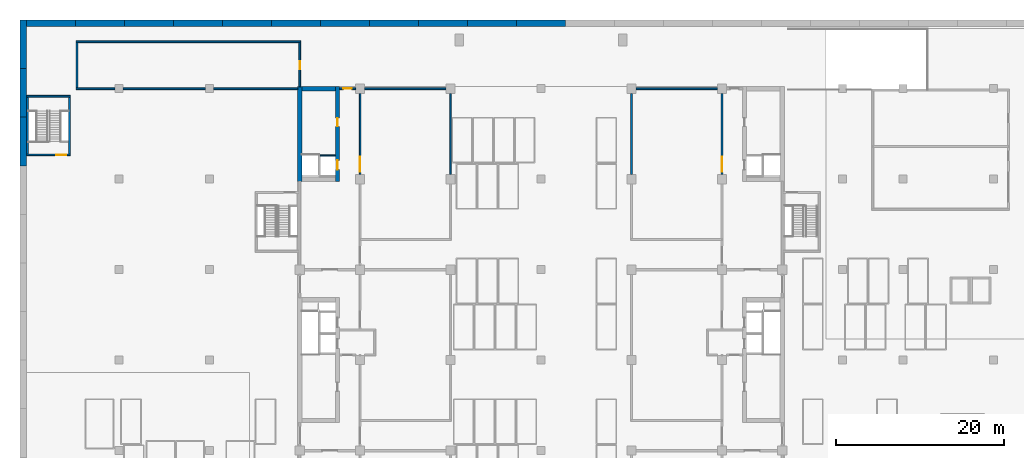
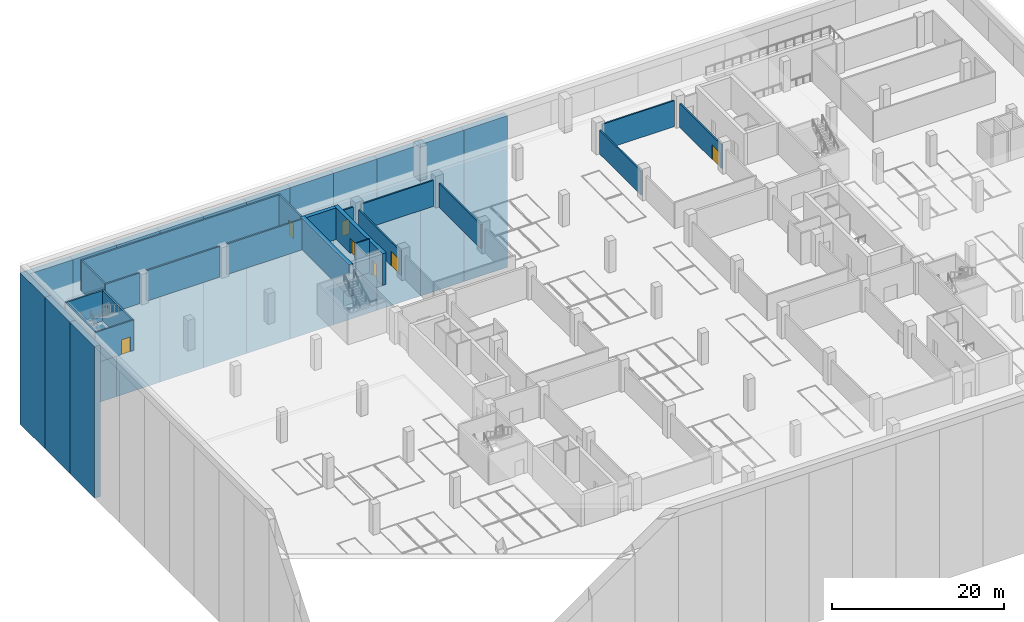
# One storey, part 8 of 18: 35 walls, 7 doors, 7 openings.
"""IFC4 building model written with IfcOpenShell, lengths in metres."""

from ifc_helpers import new_model, si_unit, direction, frame, frame_2d, origin, place, context, subcontext, project, spatial, rectangle, extrude, material, layer, layer_set, type_object, element, fill, save


model = new_model("IFC4")

# Units and contexts
model_context = context("Model", 3, precision=1e-05, world=origin(), true_north=direction((0.0, 1.0)))
body_context = subcontext(model_context, "Body", "Model", "MODEL_VIEW")
ifc_project = project(units=[si_unit("LENGTHUNIT", "METRE"), si_unit("AREAUNIT", "SQUARE_METRE"), si_unit("VOLUMEUNIT", "CUBIC_METRE"), si_unit("PLANEANGLEUNIT", "RADIAN"), si_unit("MASSUNIT", "GRAM", prefix="KILO")], contexts=[model_context])

# Site, building, storey
site_placement = place(None, origin())
site = spatial("IfcSite", under=ifc_project, at=site_placement, CompositionType="ELEMENT")
building_placement = place(site_placement, origin())
building = spatial("IfcBuilding", under=site, at=building_placement, Name="Basin Gate Institute", CompositionType="ELEMENT")
storey_placement = place(building_placement, frame((0.0, 0.0, -4.800048828125)))
storey = spatial("IfcBuildingStorey", under=building, at=storey_placement, Name="B1", CompositionType="ELEMENT", Elevation=-4.800048828125)

# Wall, opening, door
ifc_material_1 = material(Name="Concrete 50 MPa", Category="concrete")
ifc_layer_1 = layer(ifc_material_1, 0.199951171875)
ifc_layer_set_1 = layer_set([ifc_layer_1], Name="Concrete 50 MPa")
wall_type_1 = type_object("IfcWallType", Name="Basement bearing wall W66 REI 180", PredefinedType="SOLIDWALL", material=ifc_layer_set_1)
wall_1_placement = place(storey_placement, frame((61.199951171875, 100.14990234375, 0.0), z_axis=(0.0, 0.0, 1.0), x_axis=(0.0, 1.0, 0.0)))
wall_1 = element("IfcWall", 1, at=wall_1_placement, inside=storey, type_object=wall_type_1, material=ifc_layer_set_1, Name="Bicycle Store bearing wall", PredefinedType="SOLIDWALL", context=body_context, shape_type="SweptSolid", body=[
    extrude(rectangle(XDim=5.25, YDim=0.199951171875, at=frame_2d((2.625, 0.0))), origin(), (0.0, 0.0, 1.0), 4.35009765625),
])
opening_1_placement = place(wall_1_placement, frame((2.050048828125, 0.0, 0.0)))
opening_1 = element("IfcOpeningElement", 2, at=opening_1_placement, cuts=wall_1, Name="Opening DB101", PredefinedType="OPENING", context=body_context, shape_type="SweptSolid", body=[
    extrude(rectangle(XDim=1.0, YDim=2.10009765625, at=frame_2d((0.5, 1.050048828125))), frame((0.0, 0.10986328125, 0.0), z_axis=(0.0, -1.0, 0.0), x_axis=(1.0, 0.0, 0.0)), (0.0, 0.0, 1.0), 0.219970703125),
])
ifc_material_2 = material(Name="Steel door set", Category="steel")
door_type_1 = type_object("IfcDoorType", Name="Fire door FD120 1000x2100", OperationType="NOTDEFINED", PredefinedType="DOOR", material=ifc_material_2)
door_1_placement = place(opening_1_placement, origin())
door_1 = element("IfcDoor", 3, at=door_1_placement, inside=storey, type_object=door_type_1, material=ifc_material_2, Name="Door DB101 Bicycle Store", OperationType="SINGLE_SWING_LEFT", OverallHeight=2.10009765625, OverallWidth=1.0, PredefinedType="DOOR", context=body_context, shape_type="SweptSolid", body=[
    extrude(rectangle(XDim=1.0, YDim=2.10009765625, at=frame_2d((0.5, 1.050048828125))), frame((0.0, 0.02490234375, 0.0), z_axis=(0.0, -1.0, 0.0), x_axis=(1.0, 0.0, 0.0)), (0.0, 0.0, 1.0), 0.050048828125),
])
fill(opening_1, door_1)

# Walls
ifc_material_3 = material(Name="Blockwork", Category="masonry")
ifc_layer_2 = layer(ifc_material_3, 0.199951171875)
ifc_layer_set_2 = layer_set([ifc_layer_2], Name="Basement fire partition EI 120")
wall_type_2 = type_object("IfcWallType", Name="Basement fire partition EI 120", PredefinedType="PARTITIONING", material=ifc_layer_set_2)
for number, where, z_axis, x_axis, name in (
    (4, (68.949951171875, 99.89990234375, 0.0), (0.0, 0.0, 1.0), (1.0, 0.0, 0.0), "Archive B1 fire-resisting wall"),
    (5, (101.35009765625, 99.89990234375, 0.0), (0.0, 0.0, 1.0), (1.0, 0.0, 0.0), "Sample Archive fire-resisting wall"),
):
    element("IfcWall", number, at=place(storey_placement, frame(where, z_axis=z_axis, x_axis=x_axis)), inside=storey, type_object=wall_type_2, material=ifc_layer_set_2, Name=name, PredefinedType="PARTITIONING", context=body_context, shape_type="SweptSolid", body=[
        extrude(rectangle(XDim=9.699951171875, YDim=0.199951171875, at=frame_2d((4.85009765625, 0.0))), origin(), (0.0, 0.0, 1.0), 3.699951171875),
    ])

# Wall, opening, door
wall_2_placement = place(storey_placement, frame((68.39990234375, 89.64990234375, 0.0), z_axis=(0.0, 0.0, 1.0), x_axis=(0.0, 1.0, 0.0)))
wall_2 = element("IfcWall", 6, at=wall_2_placement, inside=storey, type_object=wall_type_2, material=ifc_layer_set_2, Name="Archive B1 fire-resisting wall", PredefinedType="PARTITIONING", context=body_context, shape_type="SweptSolid", body=[
    extrude(rectangle(XDim=9.7001953125, YDim=0.199951171875, at=frame_2d((4.85009765625, 0.0))), origin(), (0.0, 0.0, 1.0), 3.400146484375),
])
opening_2_placement = place(wall_2_placement, frame((0.35009765625, 0.0, 0.0)))
opening_2 = element("IfcOpeningElement", 7, at=opening_2_placement, cuts=wall_2, Name="Opening DB109", PredefinedType="OPENING", context=body_context, shape_type="SweptSolid", body=[
    extrude(rectangle(XDim=1.800048828125, YDim=2.10009765625, at=frame_2d((0.89990234375, 1.050048828125))), frame((0.0, 0.10986328125, 0.0), z_axis=(0.0, -1.0, 0.0), x_axis=(1.0, 0.0, 0.0)), (0.0, 0.0, 1.0), 0.219970703125),
])
ifc_material_4 = material(Name="Steel door set", Category="steel")
door_type_2 = type_object("IfcDoorType", Name="Double fire door FD120 1800x2100", OperationType="DOUBLE_DOOR_SINGLE_SWING", PredefinedType="DOOR", material=ifc_material_4)
door_2_placement = place(opening_2_placement, frame((1.800048828125, 0.0, 0.0), z_axis=(0.0, 0.0, 1.0), x_axis=(-1.0, 0.0, 0.0)))
door_2 = element("IfcDoor", 8, at=door_2_placement, inside=storey, type_object=door_type_2, material=ifc_material_4, Name="Door DB109 Archive B1", OperationType="DOUBLE_DOOR_SINGLE_SWING", OverallHeight=2.10009765625, OverallWidth=1.800048828125, PredefinedType="DOOR", context=body_context, shape_type="SweptSolid", body=[
    extrude(rectangle(XDim=1.800048828125, YDim=2.10009765625, at=frame_2d((0.89990234375, 1.050048828125))), frame((0.0, 0.02490234375, 0.0), z_axis=(0.0, -1.0, 0.0), x_axis=(1.0, 0.0, 0.0)), (0.0, 0.0, 1.0), 0.050048828125),
])
fill(opening_2, door_2)

# Walls
for number, where, z_axis, x_axis, name in (
    (9, (79.199951171875, 89.64990234375, 0.0), (0.0, 0.0, 1.0), (0.0, 1.0, 0.0), "Archive B1 fire-resisting wall"),
    (10, (100.800048828125, 89.64990234375, 0.0), (0.0, 0.0, 1.0), (0.0, 1.0, 0.0), "Sample Archive fire-resisting wall"),
):
    element("IfcWall", number, at=place(storey_placement, frame(where, z_axis=z_axis, x_axis=x_axis)), inside=storey, type_object=wall_type_2, material=ifc_layer_set_2, Name=name, PredefinedType="PARTITIONING", context=body_context, shape_type="SweptSolid", body=[
        extrude(rectangle(XDim=9.7001953125, YDim=0.199951171875, at=frame_2d((4.85009765625, 0.0))), origin(), (0.0, 0.0, 1.0), 3.400146484375),
    ])

# Wall, opening, door
wall_3_placement = place(storey_placement, frame((111.60009765625, 89.64990234375, 0.0), z_axis=(0.0, 0.0, 1.0), x_axis=(0.0, 1.0, 0.0)))
wall_3 = element("IfcWall", 11, at=wall_3_placement, inside=storey, type_object=wall_type_2, material=ifc_layer_set_2, Name="Sample Archive fire-resisting wall", PredefinedType="PARTITIONING", context=body_context, shape_type="SweptSolid", body=[
    extrude(rectangle(XDim=9.7001953125, YDim=0.199951171875, at=frame_2d((4.85009765625, 0.0))), origin(), (0.0, 0.0, 1.0), 3.400146484375),
])
opening_3_placement = place(wall_3_placement, frame((0.35009765625, 0.0, 0.0)))
opening_3 = element("IfcOpeningElement", 12, at=opening_3_placement, cuts=wall_3, Name="Opening DB110", PredefinedType="OPENING", context=body_context, shape_type="SweptSolid", body=[
    extrude(rectangle(XDim=1.800048828125, YDim=2.10009765625, at=frame_2d((0.89990234375, 1.050048828125))), frame((0.0, 0.10986328125, 0.0), z_axis=(0.0, -1.0, 0.0), x_axis=(1.0, 0.0, 0.0)), (0.0, 0.0, 1.0), 0.219970703125),
])
door_3_placement = place(opening_3_placement, origin())
door_3 = element("IfcDoor", 13, at=door_3_placement, inside=storey, type_object=door_type_2, material=ifc_material_4, Name="Door DB110 Sample Archive", OperationType="DOUBLE_DOOR_SINGLE_SWING", OverallHeight=2.10009765625, OverallWidth=1.800048828125, PredefinedType="DOOR", context=body_context, shape_type="SweptSolid", body=[
    extrude(rectangle(XDim=1.800048828125, YDim=2.10009765625, at=frame_2d((0.89990234375, 1.050048828125))), frame((0.0, 0.02490234375, 0.0), z_axis=(0.0, -1.0, 0.0), x_axis=(1.0, 0.0, 0.0)), (0.0, 0.0, 1.0), 0.050048828125),
])
fill(opening_3, door_3)

# Walls
ifc_material_5 = material(Name="Blockwork", Category="masonry")
ifc_layer_3 = layer(ifc_material_5, 0.199951171875)
ifc_layer_set_3 = layer_set([ifc_layer_3], Name="Basement fire partition EI 60")
wall_type_3 = type_object("IfcWallType", Name="Basement fire partition EI 60", PredefinedType="PARTITIONING", material=ifc_layer_set_3)
wall_4_placement = place(storey_placement, frame((34.5, 99.89990234375, 0.0), z_axis=(0.0, 0.0, 1.0), x_axis=(1.0, 0.0, 0.0)))
element("IfcWall", 14, at=wall_4_placement, inside=storey, type_object=wall_type_3, material=ifc_layer_set_3, Name="Bicycle Store fire-resisting wall", PredefinedType="PARTITIONING", context=body_context, shape_type="SweptSolid", body=[
    extrude(rectangle(XDim=4.625, YDim=0.199951171875, at=frame_2d((2.3125, 0.0))), origin(), (0.0, 0.0, 1.0), 4.35009765625),
])
wall_5_placement = place(storey_placement, frame((40.074951171875, 99.89990234375, 0.0), z_axis=(0.0, 0.0, 1.0), x_axis=(1.0, 0.0, 0.0)))
element("IfcWall", 15, at=wall_5_placement, inside=storey, type_object=wall_type_3, material=ifc_layer_set_3, Name="Bicycle Store fire-resisting wall", PredefinedType="PARTITIONING", context=body_context, shape_type="SweptSolid", body=[
    extrude(rectangle(XDim=9.85009765625, YDim=0.199951171875, at=frame_2d((4.925048828125, 0.0))), origin(), (0.0, 0.0, 1.0), 4.35009765625),
])
wall_6_placement = place(storey_placement, frame((50.875, 99.89990234375, 0.0), z_axis=(0.0, 0.0, 1.0), x_axis=(1.0, 0.0, 0.0)))
element("IfcWall", 16, at=wall_6_placement, inside=storey, type_object=wall_type_3, material=ifc_layer_set_3, Name="Bicycle Store fire-resisting wall", PredefinedType="PARTITIONING", context=body_context, shape_type="SweptSolid", body=[
    extrude(rectangle(XDim=10.074951171875, YDim=0.199951171875, at=frame_2d((5.03759765625, 0.0))), origin(), (0.0, 0.0, 1.0), 4.35009765625),
])

# Wall, opening, door
wall_7_placement = place(storey_placement, frame((65.949951171875, 99.89990234375, 0.0), z_axis=(0.0, 0.0, 1.0), x_axis=(1.0, 0.0, 0.0)))
wall_7 = element("IfcWall", 17, at=wall_7_placement, inside=storey, type_object=wall_type_3, material=ifc_layer_set_3, Name="Service Corridor B1 West fire-resisting wall", PredefinedType="PARTITIONING", context=body_context, shape_type="SweptSolid", body=[
    extrude(rectangle(XDim=1.900146484375, YDim=0.199951171875, at=frame_2d((0.9501953125, 0.0))), origin(), (0.0, 0.0, 1.0), 3.699951171875),
])
opening_4_placement = place(wall_7_placement, frame((0.449951171875, 0.0, 0.0)))
opening_4 = element("IfcOpeningElement", 18, at=opening_4_placement, cuts=wall_7, Name="Opening DB113", PredefinedType="OPENING", context=body_context, shape_type="SweptSolid", body=[
    extrude(rectangle(XDim=1.0, YDim=2.10009765625, at=frame_2d((0.5, 1.050048828125))), frame((0.0, 0.10986328125, 0.0), z_axis=(0.0, -1.0, 0.0), x_axis=(1.0, 0.0, 0.0)), (0.0, 0.0, 1.0), 0.219970703125),
])
ifc_material_6 = material(Name="Steel door set", Category="steel")
door_type_3 = type_object("IfcDoorType", Name="Fire door FD60 1000x2100", OperationType="NOTDEFINED", PredefinedType="DOOR", material=ifc_material_6)
door_4_placement = place(opening_4_placement, origin())
door_4 = element("IfcDoor", 19, at=door_4_placement, inside=storey, type_object=door_type_3, material=ifc_material_6, Name="Door DB113 Service Corridor B1 West", OperationType="SINGLE_SWING_LEFT", OverallHeight=2.10009765625, OverallWidth=1.0, PredefinedType="DOOR", context=body_context, shape_type="SweptSolid", body=[
    extrude(rectangle(XDim=1.0, YDim=2.10009765625, at=frame_2d((0.5, 1.050048828125))), frame((0.0, 0.02490234375, 0.0), z_axis=(0.0, -1.0, 0.0), x_axis=(1.0, 0.0, 0.0)), (0.0, 0.0, 1.0), 0.050048828125),
])
fill(opening_4, door_4)

# Walls
wall_8_placement = place(storey_placement, frame((34.5, 105.5, 0.0), z_axis=(0.0, 0.0, 1.0), x_axis=(1.0, 0.0, 0.0)))
element("IfcWall", 20, at=wall_8_placement, inside=storey, type_object=wall_type_3, material=ifc_layer_set_3, Name="Bicycle Store fire-resisting wall", PredefinedType="PARTITIONING", context=body_context, shape_type="SweptSolid", body=[
    extrude(rectangle(XDim=26.800048828125, YDim=0.199951171875, at=frame_2d((13.39990234375, 0.0))), origin(), (0.0, 0.0, 1.0), 4.35009765625),
])
wall_9_placement = place(storey_placement, frame((34.60009765625, 100.0, 0.0), z_axis=(0.0, 0.0, 1.0), x_axis=(0.0, 1.0, 0.0)))
element("IfcWall", 21, at=wall_9_placement, inside=storey, type_object=wall_type_3, material=ifc_layer_set_3, Name="Bicycle Store fire-resisting wall", PredefinedType="PARTITIONING", context=body_context, shape_type="SweptSolid", body=[
    extrude(rectangle(XDim=5.39990234375, YDim=0.199951171875, at=frame_2d((2.699951171875, 0.0))), origin(), (0.0, 0.0, 1.0), 4.35009765625),
])

# Wall, opening, door
ifc_material_7 = material(Name="Concrete 35 MPa", Category="concrete")
ifc_layer_4 = layer(ifc_material_7, 0.199951171875)
ifc_layer_set_4 = layer_set([ifc_layer_4], Name="Concrete 35 MPa")
wall_type_4 = type_object("IfcWallType", Name="Basement stair enclosure wall W67 REI 120", PredefinedType="SOLIDWALL", material=ifc_layer_set_4)
wall_10_placement = place(storey_placement, frame((28.60009765625, 92.0, 0.0), z_axis=(0.0, 0.0, 1.0), x_axis=(1.0, 0.0, 0.0)))
wall_10 = element("IfcWall", 22, at=wall_10_placement, inside=storey, type_object=wall_type_4, material=ifc_layer_set_4, Name="Stair Enclosure BS5 B1 enclosure wall", PredefinedType="SOLIDWALL", context=body_context, shape_type="SweptSolid", body=[
    extrude(rectangle(XDim=5.199951171875, YDim=0.199951171875, at=frame_2d((2.60009765625, 0.0))), origin(), (0.0, 0.0, 1.0), 4.35009765625),
])
opening_5_placement = place(wall_10_placement, frame((3.5, 0.0, 0.0)))
opening_5 = element("IfcOpeningElement", 23, at=opening_5_placement, cuts=wall_10, Name="Opening DB135", PredefinedType="OPENING", context=body_context, shape_type="SweptSolid", body=[
    extrude(rectangle(XDim=1.199951171875, YDim=2.10009765625, at=frame_2d((0.60009765625, 1.050048828125))), frame((0.0, 0.10986328125, 0.0), z_axis=(0.0, -1.0, 0.0), x_axis=(1.0, 0.0, 0.0)), (0.0, 0.0, 1.0), 0.219970703125),
])
ifc_material_8 = material(Name="Steel door set", Category="steel")
door_type_4 = type_object("IfcDoorType", Name="Stair door FD120 1200x2100", OperationType="NOTDEFINED", PredefinedType="DOOR", material=ifc_material_8)
door_5_placement = place(opening_5_placement, frame((1.199951171875, 0.0, 0.0), z_axis=(0.0, 0.0, 1.0), x_axis=(-1.0, 0.0, 0.0)))
door_5 = element("IfcDoor", 24, at=door_5_placement, inside=storey, type_object=door_type_4, material=ifc_material_8, Name="Door DB135 Stair Enclosure BS5 B1", OperationType="SINGLE_SWING_RIGHT", OverallHeight=2.10009765625, OverallWidth=1.199951171875, PredefinedType="DOOR", context=body_context, shape_type="SweptSolid", body=[
    extrude(rectangle(XDim=1.199951171875, YDim=2.10009765625, at=frame_2d((0.60009765625, 1.050048828125))), frame((0.0, 0.02490234375, 0.0), z_axis=(0.0, -1.0, 0.0), x_axis=(1.0, 0.0, 0.0)), (0.0, 0.0, 1.0), 0.050048828125),
])
fill(opening_5, door_5)

# Walls
wall_11_placement = place(storey_placement, frame((28.60009765625, 99.0, 0.0), z_axis=(0.0, 0.0, 1.0), x_axis=(1.0, 0.0, 0.0)))
element("IfcWall", 25, at=wall_11_placement, inside=storey, type_object=wall_type_4, material=ifc_layer_set_4, Name="Stair Enclosure BS5 B1 enclosure wall", PredefinedType="SOLIDWALL", context=body_context, shape_type="SweptSolid", body=[
    extrude(rectangle(XDim=5.199951171875, YDim=0.199951171875, at=frame_2d((2.60009765625, 0.0))), origin(), (0.0, 0.0, 1.0), 4.35009765625),
])
for number, where, z_axis, x_axis, name in (
    (26, (28.699951171875, 92.10009765625, 0.0), (0.0, 0.0, 1.0), (0.0, 1.0, 0.0), "Stair Enclosure BS5 B1 enclosure wall"),
    (27, (33.699951171875, 92.10009765625, 0.0), (0.0, 0.0, 1.0), (0.0, 1.0, 0.0), "Stair Enclosure BS5 B1 enclosure wall"),
):
    element("IfcWall", number, at=place(storey_placement, frame(where, z_axis=z_axis, x_axis=x_axis)), inside=storey, type_object=wall_type_4, material=ifc_layer_set_4, Name=name, PredefinedType="SOLIDWALL", context=body_context, shape_type="SweptSolid", body=[
        extrude(rectangle(XDim=6.7998046875, YDim=0.199951171875, at=frame_2d((3.39990234375, 0.0))), origin(), (0.0, 0.0, 1.0), 4.35009765625),
    ])
ifc_material_9 = material(Name="Concrete 40 MPa", Category="concrete")
ifc_layer_5 = layer(ifc_material_9, 0.800048828125)
ifc_layer_set_5 = layer_set([ifc_layer_5], Name="Concrete 40 MPa")
wall_type_5 = type_object("IfcWallType", Name="Wall DW1 R180", PredefinedType="SOLIDWALL", material=ifc_layer_set_5)
for number, where, z_axis, x_axis, name in (
    (28, (28.199951171875, 90.699951171875, -18.199951171875), (0.0, 0.0, 1.0), (0.0, 1.0, 0.0), "WALL/B1/BASE/W/12"),
    (29, (28.199951171875, 96.5, -18.199951171875), (0.0, 0.0, 1.0), (0.0, 1.0, 0.0), "WALL/B1/BASE/W/13"),
    (30, (28.199951171875, 102.300048828125, -18.199951171875), (0.0, 0.0, 1.0), (0.0, 1.0, 0.0), "WALL/B1/BASE/W/14"),
):
    element("IfcWall", number, at=place(storey_placement, frame(where, z_axis=z_axis, x_axis=x_axis)), inside=storey, type_object=wall_type_5, material=ifc_layer_set_5, Name=name, PredefinedType="SOLIDWALL", context=body_context, shape_type="SweptSolid", body=[
        extrude(rectangle(XDim=5.800048828125, YDim=0.800048828125, at=frame_2d((2.89990234375, 0.0))), origin(), (0.0, 0.0, 1.0), 21.550048828125),
    ])
wall_12_placement = place(storey_placement, frame((28.60009765625, 107.699951171875, -18.199951171875), z_axis=(0.0, 0.0, 1.0), x_axis=(1.0, 0.0, 0.0)))
element("IfcWall", 31, at=wall_12_placement, inside=storey, type_object=wall_type_5, material=ifc_layer_set_5, Name="WALL/B1/BASE/N/01", PredefinedType="SOLIDWALL", context=body_context, shape_type="SweptSolid", body=[
    extrude(rectangle(XDim=5.847412109375, YDim=0.800048828125, at=frame_2d((2.923828125, 0.0))), origin(), (0.0, 0.0, 1.0), 21.550048828125),
])
for number, where, z_axis, x_axis, name in (
    (32, (34.447509765625, 107.699951171875, -18.199951171875), (0.0, 0.0, 1.0), (1.0, 0.0, 0.0), "WALL/B1/BASE/N/02"),
    (33, (40.295166015625, 107.699951171875, -18.199951171875), (0.0, 0.0, 1.0), (1.0, 0.0, 0.0), "WALL/B1/BASE/N/03"),
    (34, (46.142822265625, 107.699951171875, -18.199951171875), (0.0, 0.0, 1.0), (1.0, 0.0, 0.0), "WALL/B1/BASE/N/04"),
    (35, (51.990478515625, 107.699951171875, -18.199951171875), (0.0, 0.0, 1.0), (1.0, 0.0, 0.0), "WALL/B1/BASE/N/05"),
    (36, (57.838134765625, 107.699951171875, -18.199951171875), (0.0, 0.0, 1.0), (1.0, 0.0, 0.0), "WALL/B1/BASE/N/06"),
    (37, (63.685791015625, 107.699951171875, -18.199951171875), (0.0, 0.0, 1.0), (1.0, 0.0, 0.0), "WALL/B1/BASE/N/07"),
):
    element("IfcWall", number, at=place(storey_placement, frame(where, z_axis=z_axis, x_axis=x_axis)), inside=storey, type_object=wall_type_5, material=ifc_layer_set_5, Name=name, PredefinedType="SOLIDWALL", context=body_context, shape_type="SweptSolid", body=[
        extrude(rectangle(XDim=5.84765625, YDim=0.800048828125, at=frame_2d((2.923828125, 0.0))), origin(), (0.0, 0.0, 1.0), 21.550048828125),
    ])
wall_13_placement = place(storey_placement, frame((69.533447265625, 107.699951171875, -18.199951171875), z_axis=(0.0, 0.0, 1.0), x_axis=(1.0, 0.0, 0.0)))
element("IfcWall", 38, at=wall_13_placement, inside=storey, type_object=wall_type_5, material=ifc_layer_set_5, Name="WALL/B1/BASE/N/08", PredefinedType="SOLIDWALL", context=body_context, shape_type="SweptSolid", body=[
    extrude(rectangle(XDim=5.847412109375, YDim=0.800048828125, at=frame_2d((2.923828125, 0.0))), origin(), (0.0, 0.0, 1.0), 21.550048828125),
])
for number, where, z_axis, x_axis, name in (
    (39, (75.380859375, 107.699951171875, -18.199951171875), (0.0, 0.0, 1.0), (1.0, 0.0, 0.0), "WALL/B1/BASE/N/09"),
    (40, (81.228515625, 107.699951171875, -18.199951171875), (0.0, 0.0, 1.0), (1.0, 0.0, 0.0), "WALL/B1/BASE/N/10"),
    (41, (87.076171875, 107.699951171875, -18.199951171875), (0.0, 0.0, 1.0), (1.0, 0.0, 0.0), "WALL/B1/BASE/N/11"),
):
    element("IfcWall", number, at=place(storey_placement, frame(where, z_axis=z_axis, x_axis=x_axis)), inside=storey, type_object=wall_type_5, material=ifc_layer_set_5, Name=name, PredefinedType="SOLIDWALL", context=body_context, shape_type="SweptSolid", body=[
        extrude(rectangle(XDim=5.84765625, YDim=0.800048828125, at=frame_2d((2.923828125, 0.0))), origin(), (0.0, 0.0, 1.0), 21.550048828125),
    ])
ifc_material_10 = material(Name="Concrete 40 MPa", Category="concrete")
ifc_layer_6 = layer(ifc_material_10, 0.14990234375)
ifc_layer_set_6 = layer_set([ifc_layer_6], Name="Concrete 40 MPa")
wall_type_6 = type_object("IfcWallType", Name="Wall LS1 lift shaft enclosure R180", PredefinedType="SOLIDWALL", material=ifc_layer_set_6)
wall_14_placement = place(storey_placement, frame((63.64990234375, 91.925048828125, 0.0), z_axis=(0.0, 0.0, 1.0), x_axis=(1.0, 0.0, 0.0)))
element("IfcWall", 42, at=wall_14_placement, inside=storey, type_object=wall_type_6, material=ifc_layer_set_6, Name="Lift shaft enclosure LP3 B1 RL", PredefinedType="SOLIDWALL", context=body_context, shape_type="SweptSolid", body=[
    extrude(rectangle(XDim=1.800048828125, YDim=0.14990234375, at=frame_2d((0.89990234375, 0.0))), origin(), (0.0, 0.0, 1.0), 4.800048828125),
])
ifc_material_11 = material(Name="Concrete 60 MPa", Category="concrete")
ifc_layer_7 = layer(ifc_material_11, 0.5)
ifc_layer_set_7 = layer_set([ifc_layer_7], Name="Concrete 60 MPa")
wall_type_7 = type_object("IfcWallType", Name="Wall SW1 R180", PredefinedType="SHEAR", material=ifc_layer_set_7)
wall_15_placement = place(storey_placement, frame((61.199951171875, 88.85009765625, 0.0), z_axis=(0.0, 0.0, 1.0), x_axis=(0.0, 1.0, 0.0)))
element("IfcWall", 43, at=wall_15_placement, inside=storey, type_object=wall_type_7, material=ifc_layer_set_7, Name="WALL/B1/WN/L", PredefinedType="SHEAR", context=body_context, shape_type="SweptSolid", body=[
    extrude(rectangle(XDim=11.2998046875, YDim=0.5, at=frame_2d((5.64990234375, 0.0))), origin(), (0.0, 0.0, 1.0), 4.5),
])

# Wall, openings, doors
wall_16_placement = place(storey_placement, frame((65.699951171875, 88.85009765625, 0.0), z_axis=(0.0, 0.0, 1.0), x_axis=(0.0, 1.0, 0.0)))
wall_16 = element("IfcWall", 44, at=wall_16_placement, inside=storey, type_object=wall_type_7, material=ifc_layer_set_7, Name="WALL/B1/WN/C", PredefinedType="SHEAR", context=body_context, shape_type="SweptSolid", body=[
    extrude(rectangle(XDim=11.2998046875, YDim=0.5, at=frame_2d((5.64990234375, 0.0))), origin(), (0.0, 0.0, 1.0), 4.5),
])
opening_6_placement = place(wall_16_placement, frame((1.39990234375, 0.0, 0.0)))
opening_6 = element("IfcOpeningElement", 45, at=opening_6_placement, cuts=wall_16, Name="Opening LD054", PredefinedType="OPENING", context=body_context, shape_type="SweptSolid", body=[
    extrude(rectangle(XDim=1.10009765625, YDim=2.10009765625, at=frame_2d((0.550048828125, 1.050048828125))), frame((0.0, 0.260009765625, 0.0), z_axis=(0.0, -1.0, 0.0), x_axis=(1.0, 0.0, 0.0)), (0.0, 0.0, 1.0), 0.52001953125),
])
opening_7_placement = place(wall_16_placement, frame((6.550048828125, 0.0, 0.0)))
opening_7 = element("IfcOpeningElement", 46, at=opening_7_placement, cuts=wall_16, Name="Opening DB126", PredefinedType="OPENING", context=body_context, shape_type="SweptSolid", body=[
    extrude(rectangle(XDim=1.0, YDim=2.10009765625, at=frame_2d((0.5, 1.050048828125))), frame((0.0, 0.260009765625, 0.0), z_axis=(0.0, -1.0, 0.0), x_axis=(1.0, 0.0, 0.0)), (0.0, 0.0, 1.0), 0.52001953125),
])
ifc_material_12 = material(Name="Stainless steel", Category="steel")
door_type_5 = type_object("IfcDoorType", Name="FD60 Lift landing door LD", OperationType="SLIDING_TO_LEFT", PredefinedType="DOOR", material=ifc_material_12)
door_6_placement = place(opening_6_placement, origin())
door_6 = element("IfcDoor", 47, at=door_6_placement, inside=storey, type_object=door_type_5, material=ifc_material_12, Name="Lift landing door LP3 B1", OperationType="SLIDING_TO_LEFT", OverallHeight=2.10009765625, OverallWidth=1.10009765625, PredefinedType="DOOR", context=body_context, shape_type="SweptSolid", body=[
    extrude(rectangle(XDim=1.10009765625, YDim=2.10009765625, at=frame_2d((0.550048828125, 1.050048828125))), frame((0.0, 0.02490234375, 0.0), z_axis=(0.0, -1.0, 0.0), x_axis=(1.0, 0.0, 0.0)), (0.0, 0.0, 1.0), 0.050048828125),
])
fill(opening_6, door_6)
door_7_placement = place(opening_7_placement, origin())
door_7 = element("IfcDoor", 48, at=door_7_placement, inside=storey, type_object=door_type_3, material=ifc_material_6, Name="Door DB126 Mechanical Riser Room B1 WN", OperationType="SINGLE_SWING_LEFT", OverallHeight=2.10009765625, OverallWidth=1.0, PredefinedType="DOOR", context=body_context, shape_type="SweptSolid", body=[
    extrude(rectangle(XDim=1.0, YDim=2.10009765625, at=frame_2d((0.5, 1.050048828125))), frame((0.0, 0.02490234375, 0.0), z_axis=(0.0, -1.0, 0.0), x_axis=(1.0, 0.0, 0.0)), (0.0, 0.0, 1.0), 0.050048828125),
])
fill(opening_7, door_7)

# Wall
wall_17_placement = place(storey_placement, frame((61.449951171875, 99.89990234375, 0.0), z_axis=(0.0, 0.0, 1.0), x_axis=(1.0, 0.0, 0.0)))
element("IfcWall", 49, at=wall_17_placement, inside=storey, type_object=wall_type_7, material=ifc_layer_set_7, Name="WALL/B1/WN/N", PredefinedType="SHEAR", context=body_context, shape_type="SweptSolid", body=[
    extrude(rectangle(XDim=4.0, YDim=0.5, at=frame_2d((2.0, 0.0))), origin(), (0.0, 0.0, 1.0), 4.5),
])

save(model, "model.ifc")
